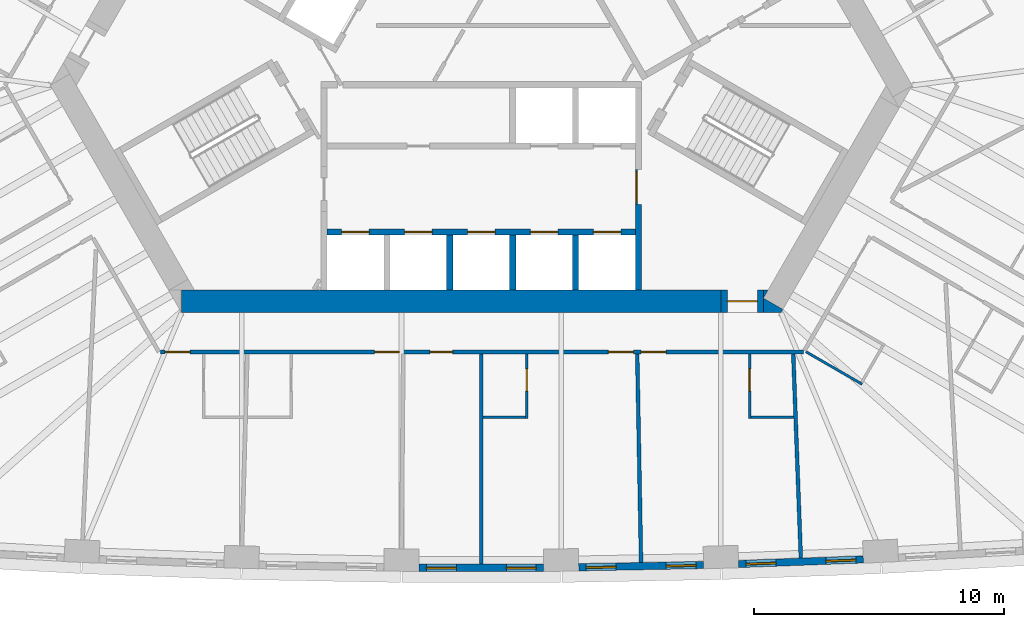
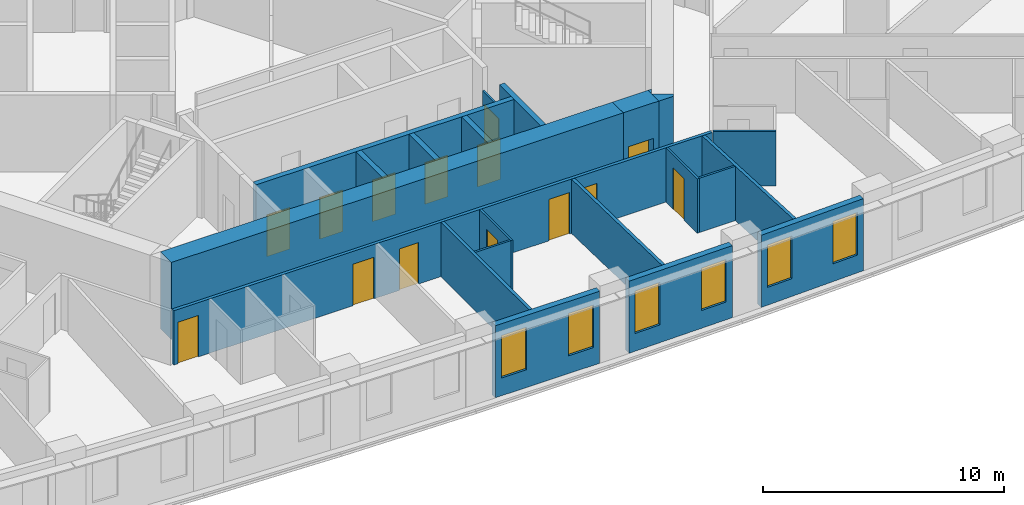
# One storey, part 6 of 13: 22 walls, 14 doors, 6 windows, 20 openings.
"""IFC4 building model written with IfcOpenShell, lengths in metres."""

import ifcopenshell
import ifcopenshell.guid

model = None  # the IFC model being written
_history = None  # IfcOwnerHistory: only IFC2X3 demands one
_inside = {}  # id of a spatial element -> (the spatial element, [elements in it])
_under = {}  # id of a project, library or spatial element -> (it, [spatial elements below it])
_declared = {}  # id of a project -> (the project, [libraries it declares])
_typed = {}  # id of a type object -> (the type object, [elements of that type])
_made_of = {}  # id of a material, layer set ... -> (it, [elements and type objects made of it])


def new_model(schema):
    """Start an empty IFC model of exactly this schema.

    Asked for "IFC4X3", IfcOpenShell would pick the latest addendum, in which some entities
    have other attributes; the version numbers below select the first issue.
    IFC2X3 requires an IfcOwnerHistory on every rooted entity: one is made here for all.
    """
    global model, _history
    if schema == "IFC4X3":
        model = ifcopenshell.file(schema_version=(4, 3, 0, 0))
    else:
        model = ifcopenshell.file(schema=schema)
    _inside.clear()
    _under.clear()
    _declared.clear()
    _typed.clear()
    _made_of.clear()
    _history = None
    if model.schema == "IFC2X3":
        org = make("IfcOrganization", Name="unknown")
        user = make(
            "IfcPersonAndOrganization",
            ThePerson=make("IfcPerson", FamilyName="unknown"),
            TheOrganization=org,
        )
        app = make(
            "IfcApplication",
            ApplicationDeveloper=org,
            Version="unknown",
            ApplicationFullName="unknown",
            ApplicationIdentifier="unknown",
        )
        _history = make(
            "IfcOwnerHistory",
            OwningUser=user,
            OwningApplication=app,
            ChangeAction="ADDED",
            CreationDate=0,
        )
    return model


def make(cls, **values):
    """One entity of the class cls with the attributes given. An attribute that is None is left unset."""
    return model.create_entity(
        cls, **{name: value for name, value in values.items() if value is not None}
    )


def rooted(cls, **values):
    """An entity with a GlobalId (a new one), such as an element, a storey or a relation."""
    return make(cls, GlobalId=ifcopenshell.guid.new(), OwnerHistory=_history, **values)


def si_unit(unit_type, name, prefix=None):
    """IfcSIUnit, for example si_unit("LENGTHUNIT", "METRE", prefix="MILLI")."""
    return make("IfcSIUnit", UnitType=unit_type, Prefix=prefix, Name=name)


def assignment(units):
    """IfcUnitAssignment: the units of a project."""
    return None if units is None else make("IfcUnitAssignment", Units=units)


def point(xyz):
    """IfcCartesianPoint."""
    return None if xyz is None else make("IfcCartesianPoint", Coordinates=xyz)


def direction(xyz):
    """IfcDirection."""
    return None if xyz is None else make("IfcDirection", DirectionRatios=xyz)


def frame(location, z_axis=None, x_axis=None):
    """IfcAxis2Placement3D, a coordinate frame: its origin and axes. An axis left out is left unset."""
    return make(
        "IfcAxis2Placement3D",
        Location=point(location),
        Axis=direction(z_axis),
        RefDirection=direction(x_axis),
    )


def frame_2d(location, x_axis=None):
    """IfcAxis2Placement2D, a coordinate frame in the plane: its origin and x axis."""
    return make(
        "IfcAxis2Placement2D", Location=point(location), RefDirection=direction(x_axis)
    )


def origin():
    """The frame at (0, 0, 0) with its axes left unset."""
    return frame((0.0, 0.0, 0.0))


def place(relative_to, where):
    """IfcLocalPlacement: puts the frame where relative to a parent placement (None: the world)."""
    return make(
        "IfcLocalPlacement", PlacementRelTo=relative_to, RelativePlacement=where
    )


def context(
    kind, dimensions, precision=None, world=None, true_north=None, identifier=None
):
    """IfcGeometricRepresentationContext, for example the 3D "Model" context."""
    return make(
        "IfcGeometricRepresentationContext",
        ContextIdentifier=identifier,
        ContextType=kind,
        CoordinateSpaceDimension=dimensions,
        Precision=precision,
        WorldCoordinateSystem=world,
        TrueNorth=true_north,
    )


def subcontext(parent, identifier, kind, view, scale=None):
    """IfcGeometricRepresentationSubContext, for example "Body" below "Model"."""
    return make(
        "IfcGeometricRepresentationSubContext",
        ContextIdentifier=identifier,
        ContextType=kind,
        ParentContext=parent,
        TargetScale=scale,
        TargetView=view,
    )


def project(units=None, contexts=None):
    """IfcProject with its units and contexts."""
    return rooted(
        "IfcProject",
        Name="project",
        RepresentationContexts=contexts,
        UnitsInContext=assignment(units),
    )


def spatial(cls, under=None, at=None, **own):
    """A site, building, storey or space (cls), placed at a placement, below another one or the project."""
    s = rooted(cls, ObjectPlacement=at, **own)
    if under is not None:
        _under.setdefault(under.id(), (under, []))[1].append(s)
    return s


def polyline(points):
    """IfcPolyline through the points."""
    return make("IfcPolyline", Points=[point(p) for p in points])


def profile(cls, at=None, kind="AREA", **sizes):
    """A parametric profile (cls). Its sizes go by their IFC names, for example OverallWidth=200.0."""
    return make(cls, ProfileType=kind, Position=at, **sizes)


def rectangle(**sizes):
    """IfcRectangleProfileDef."""
    return profile("IfcRectangleProfileDef", **sizes)


def outline(outer, holes=None, kind="AREA"):
    """IfcArbitraryClosedProfileDef: a profile drawn as a closed curve; with holes, ...WithVoids."""
    if holes is None:
        return make("IfcArbitraryClosedProfileDef", ProfileType=kind, OuterCurve=outer)
    return make(
        "IfcArbitraryProfileDefWithVoids",
        ProfileType=kind,
        OuterCurve=outer,
        InnerCurves=holes,
    )


def extrude(swept, where, along, depth):
    """IfcExtrudedAreaSolid: the profile swept, set in the frame where, extruded along a direction by depth."""
    return make(
        "IfcExtrudedAreaSolid",
        SweptArea=swept,
        Position=where,
        ExtrudedDirection=direction(along),
        Depth=depth,
    )


def shape(context_of_items, identifier, shape_type, items):
    """IfcShapeRepresentation: the items that make up one representation, for example the "Body"."""
    return make(
        "IfcShapeRepresentation",
        ContextOfItems=context_of_items,
        RepresentationIdentifier=identifier,
        RepresentationType=shape_type,
        Items=items,
    )


def material(Name=None, Category=None):
    """IfcMaterial."""
    return make("IfcMaterial", Name=Name, Category=Category)


def layer(
    of_material, thickness, ventilated=None, Name=None, Category=None, Priority=None
):
    """IfcMaterialLayer: one layer of a wall or slab, of a material (None: an air gap)."""
    return make(
        "IfcMaterialLayer",
        Material=of_material,
        LayerThickness=thickness,
        IsVentilated=ventilated,
        Name=Name,
        Category=Category,
        Priority=Priority,
    )


def layer_set(layers, Name=None):
    """IfcMaterialLayerSet."""
    return make("IfcMaterialLayerSet", MaterialLayers=layers, LayerSetName=Name)


def made_of(thing, what):
    """Note that an element or type object is made of a material, layer set ...; save() writes the relation."""
    if what is not None:
        _made_of.setdefault(what.id(), (what, []))[1].append(thing)
    return thing


def type_object(cls, material=None, **own):
    """A type object (cls), such as IfcWallType, which elements share."""
    return made_of(rooted(cls, **own), material)


def element(
    cls,
    number,
    at=None,
    inside=None,
    cuts=None,
    type_object=None,
    material=None,
    context=None,
    identifier="Body",
    shape_type=None,
    held_by="IfcProductDefinitionShape",
    body=None,
    shapes=None,
    **own,
):
    """One element of the class cls, such as IfcWall. Its Tag is "e" and its number.

    at: its placement. inside: the storey or other place that contains it. cuts: it is an
    opening in that element (IfcRelVoidsElement). A single representation is given by context,
    identifier, shape_type and body (its items); several are given by shapes. held_by: the class
    of the entity that holds the representations. save() writes the other relations.
    """
    e = rooted(cls, Tag="e%d" % number, ObjectPlacement=at, **own)
    if body is not None:
        shapes = [shape(context, identifier, shape_type, body)]
    if shapes is not None:
        e.Representation = make(held_by, Representations=shapes)
    if inside is not None:
        _inside.setdefault(inside.id(), (inside, []))[1].append(e)
    if cuts is not None:
        rooted(
            "IfcRelVoidsElement", RelatingBuildingElement=cuts, RelatedOpeningElement=e
        )
    if type_object is not None:
        _typed.setdefault(type_object.id(), (type_object, []))[1].append(e)
    return made_of(e, material)


def fill(opening, filler):
    """IfcRelFillsElement: the door or window that sits in an opening."""
    return rooted(
        "IfcRelFillsElement",
        RelatingOpeningElement=opening,
        RelatedBuildingElement=filler,
    )


def aggregate(whole, parts):
    """IfcRelAggregates: a whole, such as a stair, and the parts it consists of."""
    return rooted("IfcRelAggregates", RelatingObject=whole, RelatedObjects=parts)


def save(model, path):
    """Write the relations noted so far, then the file.

    IfcRelAggregates (storeys below a building ...), IfcRelContainedInSpatialStructure (elements
    in a storey), IfcRelDefinesByType, IfcRelAssociatesMaterial and IfcRelDeclares: one each for
    every whole, place, type object, material and project.
    """
    for whole, parts in _under.values():
        aggregate(whole, parts)
    for where, things in _inside.values():
        rooted(
            "IfcRelContainedInSpatialStructure",
            RelatedElements=things,
            RelatingStructure=where,
        )
    for kind, things in _typed.values():
        rooted("IfcRelDefinesByType", RelatedObjects=things, RelatingType=kind)
    for what, things in _made_of.values():
        rooted("IfcRelAssociatesMaterial", RelatedObjects=things, RelatingMaterial=what)
    for by, libraries in _declared.values():
        rooted("IfcRelDeclares", RelatingContext=by, RelatedDefinitions=libraries)
    model.write(path)


model = new_model("IFC4")

# Units and contexts
model_context = context("Model", 3, precision=1e-05, world=origin(), true_north=direction((0.0, 1.0)))
body_context = subcontext(model_context, "Body", "Model", "MODEL_VIEW")
ifc_project = project(units=[si_unit("LENGTHUNIT", "METRE"), si_unit("AREAUNIT", "SQUARE_METRE"), si_unit("VOLUMEUNIT", "CUBIC_METRE"), si_unit("PLANEANGLEUNIT", "RADIAN"), si_unit("MASSUNIT", "GRAM", prefix="KILO")], contexts=[model_context])

# Site, building, storey
site_placement = place(None, origin())
site = spatial("IfcSite", under=ifc_project, at=site_placement, CompositionType="ELEMENT")
building_placement = place(site_placement, origin())
building = spatial("IfcBuilding", under=site, at=building_placement, Name="Mestral Congress Tower", CompositionType="ELEMENT")
storey_placement = place(building_placement, frame((0.0, 0.0, 27.60009765625)))
storey = spatial("IfcBuildingStorey", under=building, at=storey_placement, Name="L05", CompositionType="ELEMENT", Elevation=27.60009765625)

# Wall, opening, door
ifc_material_1 = material(Name="Fire-rated board partition")
ifc_layer_1 = layer(ifc_material_1, 0.090087890625)
ifc_layer_set_1 = layer_set([ifc_layer_1], Name="Fire-rated board partition")
wall_type_1 = type_object("IfcWallType", Name="Core partition 150 door-wall 90", PredefinedType="PARTITIONING", material=ifc_layer_set_1)
wall_1_placement = place(storey_placement, frame((6.219970703125, -7.266357421875, 0.0), z_axis=(0.0, 0.0, 1.0), x_axis=(0.0, -1.0, 0.0)))
wall_1 = element("IfcWall", 1, at=wall_1_placement, inside=storey, type_object=wall_type_1, Name="L05 door wall", PredefinedType="PARTITIONING", context=body_context, shape_type="SweptSolid", body=[
    extrude(rectangle(XDim=1.400146484375, YDim=0.090087890625, at=frame_2d((0.7001953125, 0.0))), origin(), (0.0, 0.0, 1.0), 2.75),
])
opening_1_placement = place(wall_1_placement, frame((0.10009765625, 0.0, 0.0)))
opening_1 = element("IfcOpeningElement", 2, at=opening_1_placement, cuts=wall_1, Name="Opening LB0-WL1", PredefinedType="OPENING", context=body_context, shape_type="SweptSolid", body=[
    extrude(rectangle(XDim=1.199951171875, YDim=2.10009765625, at=frame_2d((0.60009765625, 1.050048828125))), frame((0.0, 0.054931640625, 0.0), z_axis=(0.0, -1.0, 0.0), x_axis=(1.0, 0.0, 0.0)), (0.0, 0.0, 1.0), 0.110107421875),
])
ifc_material_2 = material(Name="Fire-rated steel door set", Category="steel")
door_type_1 = type_object("IfcDoorType", Name="Core door LB 1200x2100", OperationType="SINGLE_SWING_LEFT", PredefinedType="DOOR", material=ifc_material_2)
door_1_placement = place(opening_1_placement, origin())
door_1 = element("IfcDoor", 3, at=door_1_placement, inside=storey, type_object=door_type_1, Name="Door LB0-WL1", OperationType="SINGLE_SWING_LEFT", OverallHeight=2.10009765625, OverallWidth=1.199951171875, PredefinedType="DOOR", context=body_context, shape_type="SweptSolid", body=[
    extrude(rectangle(XDim=1.199951171875, YDim=2.10009765625, at=frame_2d((0.60009765625, 1.050048828125))), frame((0.0, 0.02490234375, 0.0), z_axis=(0.0, -1.0, 0.0), x_axis=(1.0, 0.0, 0.0)), (0.0, 0.0, 1.0), 0.050048828125),
])
fill(opening_1, door_1)

# Walls
ifc_material_3 = material(Name="Concrete C60/75", Category="concrete")
ifc_layer_2 = layer(ifc_material_3, 0.89990234375)
ifc_layer_set_2 = layer_set([ifc_layer_2], Name="Concrete C60/75")
wall_type_2 = type_object("IfcWallType", Name="Core wall RC 900", PredefinedType="SOLIDWALL", material=ifc_layer_set_2)
placement = place(storey_placement, origin())
element("IfcWall", 4, at=placement, inside=storey, type_object=wall_type_2, Name="L05 core wall", PredefinedType="SOLIDWALL", context=body_context, shape_type="SweptSolid", body=[
    extrude(outline(polyline([(12.0087890625, -13.0), (11.31201171875, -13.0), (11.31201171875, -12.425048828125), (12.08349609375, -12.87060546875), (12.0087890625, -13.0)])), origin(), (0.0, 0.0, 1.0), 3.89990234375),
])
element("IfcWall", 5, at=placement, inside=storey, type_object=wall_type_2, Name="L05 core wall", PredefinedType="SOLIDWALL", context=body_context, shape_type="SweptSolid", body=[
    extrude(outline(polyline([(11.4892578125, -12.10009765625), (11.31201171875, -12.4072265625), (11.31201171875, -12.10009765625), (11.4892578125, -12.10009765625)])), origin(), (0.0, 0.0, 1.0), 3.89990234375),
])
wall_4_placement = place(storey_placement, frame((-12.0185546875, -12.550048828125, 0.0), z_axis=(0.0, 0.0, 1.0), x_axis=(1.0, 0.0, 0.0)))
element("IfcWall", 6, at=wall_4_placement, inside=storey, type_object=wall_type_2, Name="L05 core wall", PredefinedType="SOLIDWALL", context=body_context, shape_type="SweptSolid", body=[
    extrude(rectangle(XDim=21.63037109375, YDim=0.89990234375, at=frame_2d((10.815185546875, 0.0))), origin(), (0.0, 0.0, 1.0), 3.89990234375),
])

# Wall, opening, door
wall_5_placement = place(storey_placement, frame((11.311767578125, -12.550048828125, 0.0), z_axis=(0.0, 0.0, 1.0), x_axis=(-1.0, 0.0, 0.0)))
wall_5 = element("IfcWall", 7, at=wall_5_placement, inside=storey, type_object=wall_type_2, Name="L05 door wall", PredefinedType="SOLIDWALL", context=body_context, shape_type="SweptSolid", body=[
    extrude(rectangle(XDim=1.699951171875, YDim=0.89990234375, at=frame_2d((0.85009765625, 0.0))), origin(), (0.0, 0.0, 1.0), 3.89990234375),
])
opening_2_placement = place(wall_5_placement, frame((0.25, 0.0, 0.0)))
opening_2 = element("IfcOpeningElement", 8, at=opening_2_placement, cuts=wall_5, Name="Opening XD1", PredefinedType="OPENING", context=body_context, shape_type="SweptSolid", body=[
    extrude(rectangle(XDim=1.199951171875, YDim=2.10009765625, at=frame_2d((0.60009765625, 1.050048828125))), frame((0.0, 0.4599609375, 0.0), z_axis=(0.0, -1.0, 0.0), x_axis=(1.0, 0.0, 0.0)), (0.0, 0.0, 1.0), 0.919921875),
])
door_type_2 = type_object("IfcDoorType", Name="Core door XD 1200x2100", OperationType="SINGLE_SWING_LEFT", PredefinedType="DOOR", material=ifc_material_2)
door_2_placement = place(opening_2_placement, origin())
door_2 = element("IfcDoor", 9, at=door_2_placement, inside=storey, type_object=door_type_2, Name="Door XD1", OperationType="SINGLE_SWING_LEFT", OverallHeight=2.10009765625, OverallWidth=1.199951171875, PredefinedType="DOOR", context=body_context, shape_type="SweptSolid", body=[
    extrude(rectangle(XDim=1.199951171875, YDim=2.10009765625, at=frame_2d((0.60009765625, 1.050048828125))), frame((0.0, 0.02490234375, 0.0), z_axis=(0.0, -1.0, 0.0), x_axis=(1.0, 0.0, 0.0)), (0.0, 0.0, 1.0), 0.050048828125),
])
fill(opening_2, door_2)

# Wall, openings, windows
ifc_material_4 = material(Name="Precast concrete C40/50 with limestone facing", Category="masonry")
ifc_layer_3 = layer(ifc_material_4, 0.2900390625)
ifc_layer_set_3 = layer_set([ifc_layer_3], Name="Precast concrete C40/50 with limestone facing")
wall_type_3 = type_object("IfcWallType", Name="Facade stone wall 290", PredefinedType="SOLIDWALL", material=ifc_layer_set_3)
wall_6_placement = place(storey_placement, frame((-2.4990234375, -23.21826171875, 0.0), z_axis=(0.0, 0.0, 1.0), x_axis=(1.0, 0.0, 0.0)))
wall_6 = element("IfcWall", 10, at=wall_6_placement, inside=storey, type_object=wall_type_3, Name="Facade wall F0-04", PredefinedType="SOLIDWALL", context=body_context, shape_type="SweptSolid", body=[
    extrude(rectangle(XDim=4.998046875, YDim=0.2900390625, at=frame_2d((2.4990234375, 0.0))), origin(), (0.0, 0.0, 1.0), 3.64990234375),
])
opening_3_placement = place(wall_6_placement, frame((0.297119140625, 0.0, 0.89990234375)))
opening_3 = element("IfcOpeningElement", 11, at=opening_3_placement, cuts=wall_6, Name="Opening W1", PredefinedType="OPENING", context=body_context, shape_type="SweptSolid", body=[
    extrude(rectangle(XDim=1.199951171875, YDim=2.14990234375, at=frame_2d((0.60009765625, 1.074951171875))), frame((0.0, 0.155029296875, 0.0), z_axis=(0.0, -1.0, 0.0), x_axis=(1.0, 0.0, 0.0)), (0.0, 0.0, 1.0), 0.31005859375),
])
opening_4_placement = place(wall_6_placement, frame((3.501220703125, 0.0, 0.89990234375)))
opening_4 = element("IfcOpeningElement", 12, at=opening_4_placement, cuts=wall_6, Name="Opening W1", PredefinedType="OPENING", context=body_context, shape_type="SweptSolid", body=[
    extrude(rectangle(XDim=1.199951171875, YDim=2.14990234375, at=frame_2d((0.60009765625, 1.074951171875))), frame((0.0, 0.155029296875, 0.0), z_axis=(0.0, -1.0, 0.0), x_axis=(1.0, 0.0, 0.0)), (0.0, 0.0, 1.0), 0.31005859375),
])
ifc_material_5 = material(Name="Clear low-emissivity double glazing", Category="glass")
window_type = type_object("IfcWindowType", Name="Facade punched window 1200 x 2150 sill 900", PartitioningType="DOUBLE_PANEL_VERTICAL", PredefinedType="WINDOW", material=ifc_material_5)
window_1_placement = place(opening_3_placement, origin())
window_1 = element("IfcWindow", 13, at=window_1_placement, inside=storey, type_object=window_type, Name="Window F0-04a", OverallHeight=2.14990234375, OverallWidth=1.199951171875, PartitioningType="DOUBLE_PANEL_VERTICAL", PredefinedType="WINDOW", context=body_context, shape_type="SweptSolid", body=[
    extrude(rectangle(XDim=1.199951171875, YDim=2.14990234375, at=frame_2d((0.60009765625, 1.074951171875))), frame((0.0, 0.01513671875, 0.0), z_axis=(0.0, -1.0, 0.0), x_axis=(1.0, 0.0, 0.0)), (0.0, 0.0, 1.0), 0.06005859375),
])
fill(opening_3, window_1)
window_2_placement = place(opening_4_placement, origin())
window_2 = element("IfcWindow", 14, at=window_2_placement, inside=storey, type_object=window_type, Name="Window F0-04b", OverallHeight=2.14990234375, OverallWidth=1.199951171875, PartitioningType="DOUBLE_PANEL_VERTICAL", PredefinedType="WINDOW", context=body_context, shape_type="SweptSolid", body=[
    extrude(rectangle(XDim=1.199951171875, YDim=2.14990234375, at=frame_2d((0.60009765625, 1.074951171875))), frame((0.0, 0.01513671875, 0.0), z_axis=(0.0, -1.0, 0.0), x_axis=(1.0, 0.0, 0.0)), (0.0, 0.0, 1.0), 0.06005859375),
])
fill(opening_4, window_2)

wall_7_placement = place(storey_placement, frame((3.90625, -23.205078125, 0.0), z_axis=(0.0, 0.0, 1.0), x_axis=(0.999829529479, 0.018463801951, 0.0)))
wall_7 = element("IfcWall", 15, at=wall_7_placement, inside=storey, type_object=wall_type_3, Name="Facade wall F0-05", PredefinedType="SOLIDWALL", context=body_context, shape_type="SweptSolid", body=[
    extrude(rectangle(XDim=4.998046875, YDim=0.2900390625, at=frame_2d((2.4990234375, 0.0))), origin(), (0.0, 0.0, 1.0), 3.64990234375),
])
opening_5_placement = place(wall_7_placement, frame((0.297119140625, 0.0, 0.89990234375)))
opening_5 = element("IfcOpeningElement", 16, at=opening_5_placement, cuts=wall_7, Name="Opening W1", PredefinedType="OPENING", context=body_context, shape_type="SweptSolid", body=[
    extrude(rectangle(XDim=1.199951171875, YDim=2.14990234375, at=frame_2d((0.60009765625, 1.074951171875))), frame((0.0, 0.155029296875, 0.0), z_axis=(0.0, -1.0, 0.0), x_axis=(1.0, 0.0, 0.0)), (0.0, 0.0, 1.0), 0.31005859375),
])
opening_6_placement = place(wall_7_placement, frame((3.501220703125, 0.0, 0.89990234375)))
opening_6 = element("IfcOpeningElement", 17, at=opening_6_placement, cuts=wall_7, Name="Opening W1", PredefinedType="OPENING", context=body_context, shape_type="SweptSolid", body=[
    extrude(rectangle(XDim=1.199951171875, YDim=2.14990234375, at=frame_2d((0.60009765625, 1.074951171875))), frame((0.0, 0.155029296875, 0.0), z_axis=(0.0, -1.0, 0.0), x_axis=(1.0, 0.0, 0.0)), (0.0, 0.0, 1.0), 0.31005859375),
])
window_3_placement = place(opening_5_placement, origin())
window_3 = element("IfcWindow", 18, at=window_3_placement, inside=storey, type_object=window_type, Name="Window F0-05a", OverallHeight=2.14990234375, OverallWidth=1.199951171875, PartitioningType="DOUBLE_PANEL_VERTICAL", PredefinedType="WINDOW", context=body_context, shape_type="SweptSolid", body=[
    extrude(rectangle(XDim=1.199951171875, YDim=2.14990234375, at=frame_2d((0.60009765625, 1.074951171875))), frame((0.0, 0.01513671875, 0.0), z_axis=(0.0, -1.0, 0.0), x_axis=(1.0, 0.0, 0.0)), (0.0, 0.0, 1.0), 0.06005859375),
])
fill(opening_5, window_3)
window_4_placement = place(opening_6_placement, origin())
window_4 = element("IfcWindow", 19, at=window_4_placement, inside=storey, type_object=window_type, Name="Window F0-05b", OverallHeight=2.14990234375, OverallWidth=1.199951171875, PartitioningType="DOUBLE_PANEL_VERTICAL", PredefinedType="WINDOW", context=body_context, shape_type="SweptSolid", body=[
    extrude(rectangle(XDim=1.199951171875, YDim=2.14990234375, at=frame_2d((0.60009765625, 1.074951171875))), frame((0.0, 0.01513671875, 0.0), z_axis=(0.0, -1.0, 0.0), x_axis=(1.0, 0.0, 0.0)), (0.0, 0.0, 1.0), 0.06005859375),
])
fill(opening_6, window_4)

wall_8_placement = place(storey_placement, frame((10.310302734375, -23.07373046875, 0.0), z_axis=(0.0, 0.0, 1.0), x_axis=(0.999317974969, 0.036926750529, 0.0)))
wall_8 = element("IfcWall", 20, at=wall_8_placement, inside=storey, type_object=wall_type_3, Name="Facade wall F0-06", PredefinedType="SOLIDWALL", context=body_context, shape_type="SweptSolid", body=[
    extrude(rectangle(XDim=4.998291015625, YDim=0.2900390625, at=frame_2d((2.4990234375, 0.0))), origin(), (0.0, 0.0, 1.0), 3.64990234375),
])
opening_7_placement = place(wall_8_placement, frame((0.297119140625, 0.0, 0.89990234375)))
opening_7 = element("IfcOpeningElement", 21, at=opening_7_placement, cuts=wall_8, Name="Opening W1", PredefinedType="OPENING", context=body_context, shape_type="SweptSolid", body=[
    extrude(rectangle(XDim=1.199951171875, YDim=2.14990234375, at=frame_2d((0.60009765625, 1.074951171875))), frame((0.0, 0.155029296875, 0.0), z_axis=(0.0, -1.0, 0.0), x_axis=(1.0, 0.0, 0.0)), (0.0, 0.0, 1.0), 0.31005859375),
])
opening_8_placement = place(wall_8_placement, frame((3.501220703125, 0.0, 0.89990234375)))
opening_8 = element("IfcOpeningElement", 22, at=opening_8_placement, cuts=wall_8, Name="Opening W1", PredefinedType="OPENING", context=body_context, shape_type="SweptSolid", body=[
    extrude(rectangle(XDim=1.199951171875, YDim=2.14990234375, at=frame_2d((0.60009765625, 1.074951171875))), frame((0.0, 0.155029296875, 0.0), z_axis=(0.0, -1.0, 0.0), x_axis=(1.0, 0.0, 0.0)), (0.0, 0.0, 1.0), 0.31005859375),
])
window_5_placement = place(opening_7_placement, origin())
window_5 = element("IfcWindow", 23, at=window_5_placement, inside=storey, type_object=window_type, Name="Window F0-06a", OverallHeight=2.14990234375, OverallWidth=1.199951171875, PartitioningType="DOUBLE_PANEL_VERTICAL", PredefinedType="WINDOW", context=body_context, shape_type="SweptSolid", body=[
    extrude(rectangle(XDim=1.199951171875, YDim=2.14990234375, at=frame_2d((0.60009765625, 1.074951171875))), frame((0.0, 0.01513671875, 0.0), z_axis=(0.0, -1.0, 0.0), x_axis=(1.0, 0.0, 0.0)), (0.0, 0.0, 1.0), 0.06005859375),
])
fill(opening_7, window_5)
window_6_placement = place(opening_8_placement, origin())
window_6 = element("IfcWindow", 24, at=window_6_placement, inside=storey, type_object=window_type, Name="Window F0-06b", OverallHeight=2.14990234375, OverallWidth=1.199951171875, PartitioningType="DOUBLE_PANEL_VERTICAL", PredefinedType="WINDOW", context=body_context, shape_type="SweptSolid", body=[
    extrude(rectangle(XDim=1.199951171875, YDim=2.14990234375, at=frame_2d((0.60009765625, 1.074951171875))), frame((0.0, 0.01513671875, 0.0), z_axis=(0.0, -1.0, 0.0), x_axis=(1.0, 0.0, 0.0)), (0.0, 0.0, 1.0), 0.06005859375),
])
fill(opening_8, window_6)

# Wall, opening, door
ifc_material_6 = material(Name="Gypsum board partition on metal studs with mineral wool", Category="composite")
ifc_layer_4 = layer(ifc_material_6, 0.10009765625)
ifc_layer_set_4 = layer_set([ifc_layer_4], Name="Gypsum board partition on metal studs with mineral wool")
wall_type_4 = type_object("IfcWallType", Name="Hotel partition wall 100", PredefinedType="PARTITIONING", material=ifc_layer_set_4)
wall_9_placement = place(storey_placement, frame((1.824951171875, -17.25, 0.0), z_axis=(0.0, 0.0, 1.0), x_axis=(0.0, 1.0, 0.0)))
wall_9 = element("IfcWall", 25, at=wall_9_placement, inside=storey, type_object=wall_type_4, Name="L05-h-pod06a", PredefinedType="PARTITIONING", context=body_context, shape_type="SweptSolid", body=[
    extrude(rectangle(XDim=2.60009765625, YDim=0.10009765625, at=frame_2d((1.300048828125, 0.0))), origin(), (0.0, 0.0, 1.0), 2.75),
])
opening_9_placement = place(wall_9_placement, frame((1.10009765625, 0.0, 0.0)))
opening_9 = element("IfcOpeningElement", 26, at=opening_9_placement, cuts=wall_9, Name="Opening H01-011", PredefinedType="OPENING", context=body_context, shape_type="SweptSolid", body=[
    extrude(rectangle(XDim=0.89990234375, YDim=2.10009765625, at=frame_2d((0.449951171875, 1.050048828125))), frame((0.0, 0.06005859375, 0.0), z_axis=(0.0, -1.0, 0.0), x_axis=(1.0, 0.0, 0.0)), (0.0, 0.0, 1.0), 0.1201171875),
])
ifc_material_7 = material(Name="Timber veneer door leaf in timber frame", Category="wood")
door_type_3 = type_object("IfcDoorType", Name="Bathroom door 900", OperationType="SINGLE_SWING_LEFT", PredefinedType="DOOR", material=ifc_material_7)
door_3_placement = place(opening_9_placement, origin())
door_3 = element("IfcDoor", 27, at=door_3_placement, inside=storey, type_object=door_type_3, Name="L05-h-d011", OperationType="SINGLE_SWING_RIGHT", OverallHeight=2.10009765625, OverallWidth=0.89990234375, PredefinedType="DOOR", context=body_context, shape_type="SweptSolid", body=[
    extrude(rectangle(XDim=0.89990234375, YDim=2.10009765625, at=frame_2d((0.449951171875, 1.050048828125))), frame((0.0, 0.02490234375, 0.0), z_axis=(0.0, -1.0, 0.0), x_axis=(1.0, 0.0, 0.0)), (0.0, 0.0, 1.0), 0.050048828125),
])
fill(opening_9, door_3)

# Wall
wall_10_placement = place(storey_placement, frame((1.77490234375, -17.199951171875, 0.0), z_axis=(0.0, 0.0, 1.0), x_axis=(-1.0, 0.0, 0.0)))
element("IfcWall", 28, at=wall_10_placement, inside=storey, type_object=wall_type_4, Name="L05-h-pod06b", PredefinedType="PARTITIONING", context=body_context, shape_type="SweptSolid", body=[
    extrude(rectangle(XDim=1.699951171875, YDim=0.10009765625, at=frame_2d((0.85009765625, 0.0))), origin(), (0.0, 0.0, 1.0), 2.75),
])

# Wall, opening, door
wall_11_placement = place(storey_placement, frame((10.746337890625, -14.64990234375, 0.0), z_axis=(0.0, 0.0, 1.0), x_axis=(0.0, -1.0, 0.0)))
wall_11 = element("IfcWall", 29, at=wall_11_placement, inside=storey, type_object=wall_type_4, Name="L05-h-pod07a", PredefinedType="PARTITIONING", context=body_context, shape_type="SweptSolid", body=[
    extrude(rectangle(XDim=2.60009765625, YDim=0.10009765625, at=frame_2d((1.300048828125, 0.0))), origin(), (0.0, 0.0, 1.0), 2.75),
])
opening_10_placement = place(wall_11_placement, frame((0.60009765625, 0.0, 0.0)))
opening_10 = element("IfcOpeningElement", 30, at=opening_10_placement, cuts=wall_11, Name="Opening H01-013", PredefinedType="OPENING", context=body_context, shape_type="SweptSolid", body=[
    extrude(rectangle(XDim=0.89990234375, YDim=2.10009765625, at=frame_2d((0.449951171875, 1.050048828125))), frame((0.0, 0.06005859375, 0.0), z_axis=(0.0, -1.0, 0.0), x_axis=(1.0, 0.0, 0.0)), (0.0, 0.0, 1.0), 0.1201171875),
])
door_4_placement = place(opening_10_placement, origin())
door_4 = element("IfcDoor", 31, at=door_4_placement, inside=storey, type_object=door_type_3, Name="L05-h-d013", OperationType="SINGLE_SWING_LEFT", OverallHeight=2.10009765625, OverallWidth=0.89990234375, PredefinedType="DOOR", context=body_context, shape_type="SweptSolid", body=[
    extrude(rectangle(XDim=0.89990234375, YDim=2.10009765625, at=frame_2d((0.449951171875, 1.050048828125))), frame((0.0, 0.02490234375, 0.0), z_axis=(0.0, -1.0, 0.0), x_axis=(1.0, 0.0, 0.0)), (0.0, 0.0, 1.0), 0.050048828125),
])
fill(opening_10, door_4)

# Walls
wall_12_placement = place(storey_placement, frame((10.806396484375, -17.199951171875, 0.0), z_axis=(0.0, 0.0, 1.0), x_axis=(1.0, 0.0, 0.0)))
element("IfcWall", 32, at=wall_12_placement, inside=storey, type_object=wall_type_4, Name="L05-h-pod07b", PredefinedType="PARTITIONING", context=body_context, shape_type="SweptSolid", body=[
    extrude(rectangle(XDim=1.7099609375, YDim=0.10009765625, at=frame_2d((0.85498046875, 0.0))), origin(), (0.0, 0.0, 1.0), 2.75),
])
wall_13_placement = place(storey_placement, frame((13.00830078125, -14.569091796875, 0.0), z_axis=(0.0, 0.0, 1.0), x_axis=(0.865997922154, -0.500047596559, 0.0)))
element("IfcWall", 33, at=wall_13_placement, inside=storey, type_object=wall_type_4, Name="L05-h-pod08c", PredefinedType="PARTITIONING", context=body_context, shape_type="SweptSolid", body=[
    extrude(rectangle(XDim=2.599853515625, YDim=0.10009765625, at=frame_2d((1.2998046875, 0.0))), origin(), (0.0, 0.0, 1.0), 2.75),
])

# Wall, openings, doors
ifc_layer_5 = layer(ifc_material_6, 0.14990234375)
ifc_layer_set_5 = layer_set([ifc_layer_5], Name="Gypsum board partition on metal studs with mineral wool")
wall_type_5 = type_object("IfcWallType", Name="Hotel partition wall 150", PredefinedType="PARTITIONING", material=ifc_layer_set_5)
wall_14_placement = place(storey_placement, frame((12.918212890625, -14.574951171875, 0.0), z_axis=(0.0, 0.0, 1.0), x_axis=(-1.0, 0.0, 0.0)))
wall_14 = element("IfcWall", 34, at=wall_14_placement, inside=storey, type_object=wall_type_5, Name="L05-h-cw13", PredefinedType="PARTITIONING", context=body_context, shape_type="SweptSolid", body=[
    extrude(rectangle(XDim=25.766357421875, YDim=0.14990234375, at=frame_2d((12.88330078125, 0.0))), origin(), (0.0, 0.0, 1.0), 2.75),
])
opening_11_placement = place(wall_14_placement, frame((24.58642578125, 0.0, 0.0)))
opening_11 = element("IfcOpeningElement", 35, at=opening_11_placement, cuts=wall_14, Name="Opening H01-005", PredefinedType="OPENING", context=body_context, shape_type="SweptSolid", body=[
    extrude(rectangle(XDim=1.0, YDim=2.10009765625, at=frame_2d((0.5, 1.050048828125))), frame((0.0, 0.0849609375, 0.0), z_axis=(0.0, -1.0, 0.0), x_axis=(1.0, 0.0, 0.0)), (0.0, 0.0, 1.0), 0.169921875),
])
opening_12_placement = place(wall_14_placement, frame((16.195068359375, 0.0, 0.0)))
opening_12 = element("IfcOpeningElement", 36, at=opening_12_placement, cuts=wall_14, Name="Opening H01-007", PredefinedType="OPENING", context=body_context, shape_type="SweptSolid", body=[
    extrude(rectangle(XDim=1.0, YDim=2.10009765625, at=frame_2d((0.5, 1.050048828125))), frame((0.0, 0.0849609375, 0.0), z_axis=(0.0, -1.0, 0.0), x_axis=(1.0, 0.0, 0.0)), (0.0, 0.0, 1.0), 0.169921875),
])
opening_13_placement = place(wall_14_placement, frame((14.06591796875, 0.0, 0.0)))
opening_13 = element("IfcOpeningElement", 37, at=opening_13_placement, cuts=wall_14, Name="Opening H01-009", PredefinedType="OPENING", context=body_context, shape_type="SweptSolid", body=[
    extrude(rectangle(XDim=0.89990234375, YDim=2.10009765625, at=frame_2d((0.449951171875, 1.050048828125))), frame((0.0, 0.0849609375, 0.0), z_axis=(0.0, -1.0, 0.0), x_axis=(1.0, 0.0, 0.0)), (0.0, 0.0, 1.0), 0.169921875),
])
opening_14_placement = place(wall_14_placement, frame((6.823974609375, 0.0, 0.0)))
opening_14 = element("IfcOpeningElement", 38, at=opening_14_placement, cuts=wall_14, Name="Opening H01-010", PredefinedType="OPENING", context=body_context, shape_type="SweptSolid", body=[
    extrude(rectangle(XDim=1.0, YDim=2.10009765625, at=frame_2d((0.5, 1.050048828125))), frame((0.0, 0.0849609375, 0.0), z_axis=(0.0, -1.0, 0.0), x_axis=(1.0, 0.0, 0.0)), (0.0, 0.0, 1.0), 0.169921875),
])
opening_15_placement = place(wall_14_placement, frame((5.5166015625, 0.0, 0.0)))
opening_15 = element("IfcOpeningElement", 39, at=opening_15_placement, cuts=wall_14, Name="Opening H01-012", PredefinedType="OPENING", context=body_context, shape_type="SweptSolid", body=[
    extrude(rectangle(XDim=1.0, YDim=2.10009765625, at=frame_2d((0.5, 1.050048828125))), frame((0.0, 0.0849609375, 0.0), z_axis=(0.0, -1.0, 0.0), x_axis=(1.0, 0.0, 0.0)), (0.0, 0.0, 1.0), 0.169921875),
])
ifc_material_8 = material(Name="Timber veneer door leaf in metal frame", Category="wood")
door_type_4 = type_object("IfcDoorType", Name="Guest room entrance door 1000", OperationType="SINGLE_SWING_LEFT", PredefinedType="DOOR", material=ifc_material_8)
door_5_placement = place(opening_11_placement, origin())
door_5 = element("IfcDoor", 40, at=door_5_placement, inside=storey, type_object=door_type_4, Name="L05-h-d005", OperationType="SINGLE_SWING_RIGHT", OverallHeight=2.10009765625, OverallWidth=1.0, PredefinedType="DOOR", context=body_context, shape_type="SweptSolid", body=[
    extrude(rectangle(XDim=1.0, YDim=2.10009765625, at=frame_2d((0.5, 1.050048828125))), frame((0.0, 0.02490234375, 0.0), z_axis=(0.0, -1.0, 0.0), x_axis=(1.0, 0.0, 0.0)), (0.0, 0.0, 1.0), 0.050048828125),
])
fill(opening_11, door_5)
door_6_placement = place(opening_12_placement, origin())
door_6 = element("IfcDoor", 41, at=door_6_placement, inside=storey, type_object=door_type_4, Name="L05-h-d007", OperationType="SINGLE_SWING_LEFT", OverallHeight=2.10009765625, OverallWidth=1.0, PredefinedType="DOOR", context=body_context, shape_type="SweptSolid", body=[
    extrude(rectangle(XDim=1.0, YDim=2.10009765625, at=frame_2d((0.5, 1.050048828125))), frame((0.0, 0.02490234375, 0.0), z_axis=(0.0, -1.0, 0.0), x_axis=(1.0, 0.0, 0.0)), (0.0, 0.0, 1.0), 0.050048828125),
])
fill(opening_12, door_6)
door_7_placement = place(opening_14_placement, origin())
door_7 = element("IfcDoor", 42, at=door_7_placement, inside=storey, type_object=door_type_4, Name="L05-h-d010", OperationType="SINGLE_SWING_LEFT", OverallHeight=2.10009765625, OverallWidth=1.0, PredefinedType="DOOR", context=body_context, shape_type="SweptSolid", body=[
    extrude(rectangle(XDim=1.0, YDim=2.10009765625, at=frame_2d((0.5, 1.050048828125))), frame((0.0, 0.02490234375, 0.0), z_axis=(0.0, -1.0, 0.0), x_axis=(1.0, 0.0, 0.0)), (0.0, 0.0, 1.0), 0.050048828125),
])
fill(opening_14, door_7)
door_8_placement = place(opening_15_placement, origin())
door_8 = element("IfcDoor", 43, at=door_8_placement, inside=storey, type_object=door_type_4, Name="L05-h-d012", OperationType="SINGLE_SWING_RIGHT", OverallHeight=2.10009765625, OverallWidth=1.0, PredefinedType="DOOR", context=body_context, shape_type="SweptSolid", body=[
    extrude(rectangle(XDim=1.0, YDim=2.10009765625, at=frame_2d((0.5, 1.050048828125))), frame((0.0, 0.02490234375, 0.0), z_axis=(0.0, -1.0, 0.0), x_axis=(1.0, 0.0, 0.0)), (0.0, 0.0, 1.0), 0.050048828125),
])
fill(opening_15, door_8)
door_type_5 = type_object("IfcDoorType", Name="Service room door 900", OperationType="SINGLE_SWING_LEFT", PredefinedType="DOOR", material=ifc_material_8)
door_9_placement = place(opening_13_placement, origin())
door_9 = element("IfcDoor", 44, at=door_9_placement, inside=storey, type_object=door_type_5, Name="L05-h-d009", OperationType="SINGLE_SWING_LEFT", OverallHeight=2.10009765625, OverallWidth=0.89990234375, PredefinedType="DOOR", context=body_context, shape_type="SweptSolid", body=[
    extrude(rectangle(XDim=0.89990234375, YDim=2.10009765625, at=frame_2d((0.449951171875, 1.050048828125))), frame((0.0, 0.02490234375, 0.0), z_axis=(0.0, -1.0, 0.0), x_axis=(1.0, 0.0, 0.0)), (0.0, 0.0, 1.0), 0.050048828125),
])
fill(opening_13, door_9)

# Walls
wall_15_placement = place(storey_placement, frame((0.0, -23.0732421875, 0.0), z_axis=(0.0, 0.0, 1.0), x_axis=(0.0, 1.0, 0.0)))
element("IfcWall", 45, at=wall_15_placement, inside=storey, type_object=wall_type_5, Name="L05-h-pw16", PredefinedType="PARTITIONING", context=body_context, shape_type="SweptSolid", body=[
    extrude(rectangle(XDim=8.42333984375, YDim=0.14990234375, at=frame_2d((4.211669921875, 0.0))), origin(), (0.0, 0.0, 1.0), 2.75),
])
wall_16_placement = place(storey_placement, frame((6.40234375, -23.013916015625, 0.0), z_axis=(0.0, 0.0, 1.0), x_axis=(-0.01849587109, 0.999828936745, 0.0)))
element("IfcWall", 46, at=wall_16_placement, inside=storey, type_object=wall_type_5, Name="L05-h-pw19", PredefinedType="PARTITIONING", context=body_context, shape_type="SweptSolid", body=[
    extrude(rectangle(XDim=8.35546875, YDim=0.14990234375, at=frame_2d((4.177734375, 0.0))), origin(), (0.0, 0.0, 1.0), 2.75),
])
wall_17_placement = place(storey_placement, frame((12.802490234375, -22.83642578125, 0.0), z_axis=(0.0, 0.0, 1.0), x_axis=(-0.036969723281, 0.999316386116, 0.0)))
element("IfcWall", 47, at=wall_17_placement, inside=storey, type_object=wall_type_5, Name="L05-h-pw22", PredefinedType="PARTITIONING", context=body_context, shape_type="SweptSolid", body=[
    extrude(rectangle(XDim=8.18212890625, YDim=0.14990234375, at=frame_2d((4.091064453125, 0.0))), origin(), (0.0, 0.0, 1.0), 2.75),
])
ifc_layer_6 = layer(ifc_material_3, 0.25)
ifc_layer_set_6 = layer_set([ifc_layer_6], Name="Concrete C60/75")
wall_type_6 = type_object("IfcWallType", Name="Shaft wall RC 250", PredefinedType="SOLIDWALL", material=ifc_layer_set_6)
wall_18_placement = place(storey_placement, frame((6.300048828125, -8.669921875, 0.0), z_axis=(0.0, 0.0, 1.0), x_axis=(0.0, -1.0, 0.0)))
element("IfcWall", 48, at=wall_18_placement, inside=storey, type_object=wall_type_6, Name="L05 core wall", PredefinedType="SOLIDWALL", context=body_context, shape_type="SweptSolid", body=[
    extrude(rectangle(XDim=3.43017578125, YDim=0.25, at=frame_2d((1.715087890625, 0.0))), origin(), (0.0, 0.0, 1.0), 3.89990234375),
])
for number, where, z_axis, x_axis, name in (
    (49, (3.780029296875, -12.10009765625, 0.0), (0.0, 0.0, 1.0), (0.0, 1.0, 0.0), "L05 core wall"),
    (50, (1.260009765625, -12.10009765625, 0.0), (0.0, 0.0, 1.0), (0.0, 1.0, 0.0), "L05 core wall"),
    (51, (-1.260009765625, -12.10009765625, 0.0), (0.0, 0.0, 1.0), (0.0, 1.0, 0.0), "L05 core wall"),
):
    element("IfcWall", number, at=place(storey_placement, frame(where, z_axis=z_axis, x_axis=x_axis)), inside=storey, type_object=wall_type_6, Name=name, PredefinedType="SOLIDWALL", context=body_context, shape_type="SweptSolid", body=[
        extrude(rectangle(XDim=2.199951171875, YDim=0.25, at=frame_2d((1.10009765625, 0.0))), origin(), (0.0, 0.0, 1.0), 3.89990234375),
    ])

# Wall, openings, doors
wall_19_placement = place(storey_placement, frame((-6.175048828125, -9.77490234375, 0.0), z_axis=(0.0, 0.0, 1.0), x_axis=(1.0, 0.0, 0.0)))
wall_19 = element("IfcWall", 52, at=wall_19_placement, inside=storey, type_object=wall_type_6, Name="L05 door wall", PredefinedType="SOLIDWALL", context=body_context, shape_type="SweptSolid", body=[
    extrude(rectangle(XDim=12.35009765625, YDim=0.25, at=frame_2d((6.175048828125, 0.0))), origin(), (0.0, 0.0, 1.0), 3.89990234375),
])
opening_16_placement = place(wall_19_placement, frame((0.5849609375, 0.0, 0.0)))
opening_16 = element("IfcOpeningElement", 53, at=opening_16_placement, cuts=wall_19, Name="Opening LD-SOA1", PredefinedType="OPENING", context=body_context, shape_type="SweptSolid", body=[
    extrude(rectangle(XDim=1.10009765625, YDim=2.10009765625, at=frame_2d((0.550048828125, 1.050048828125))), frame((0.0, 0.135009765625, 0.0), z_axis=(0.0, -1.0, 0.0), x_axis=(1.0, 0.0, 0.0)), (0.0, 0.0, 1.0), 0.27001953125),
])
opening_17_placement = place(wall_19_placement, frame((3.10498046875, 0.0, 0.0)))
opening_17 = element("IfcOpeningElement", 54, at=opening_17_placement, cuts=wall_19, Name="Opening LD-SOA2", PredefinedType="OPENING", context=body_context, shape_type="SweptSolid", body=[
    extrude(rectangle(XDim=1.10009765625, YDim=2.10009765625, at=frame_2d((0.550048828125, 1.050048828125))), frame((0.0, 0.135009765625, 0.0), z_axis=(0.0, -1.0, 0.0), x_axis=(1.0, 0.0, 0.0)), (0.0, 0.0, 1.0), 0.27001953125),
])
opening_18_placement = place(wall_19_placement, frame((5.625, 0.0, 0.0)))
opening_18 = element("IfcOpeningElement", 55, at=opening_18_placement, cuts=wall_19, Name="Opening LD-SOA3", PredefinedType="OPENING", context=body_context, shape_type="SweptSolid", body=[
    extrude(rectangle(XDim=1.10009765625, YDim=2.10009765625, at=frame_2d((0.550048828125, 1.050048828125))), frame((0.0, 0.135009765625, 0.0), z_axis=(0.0, -1.0, 0.0), x_axis=(1.0, 0.0, 0.0)), (0.0, 0.0, 1.0), 0.27001953125),
])
opening_19_placement = place(wall_19_placement, frame((8.14501953125, 0.0, 0.0)))
opening_19 = element("IfcOpeningElement", 56, at=opening_19_placement, cuts=wall_19, Name="Opening LD-SOA4", PredefinedType="OPENING", context=body_context, shape_type="SweptSolid", body=[
    extrude(rectangle(XDim=1.10009765625, YDim=2.10009765625, at=frame_2d((0.550048828125, 1.050048828125))), frame((0.0, 0.135009765625, 0.0), z_axis=(0.0, -1.0, 0.0), x_axis=(1.0, 0.0, 0.0)), (0.0, 0.0, 1.0), 0.27001953125),
])
opening_20_placement = place(wall_19_placement, frame((10.6650390625, 0.0, 0.0)))
opening_20 = element("IfcOpeningElement", 57, at=opening_20_placement, cuts=wall_19, Name="Opening LD-SOA5", PredefinedType="OPENING", context=body_context, shape_type="SweptSolid", body=[
    extrude(rectangle(XDim=1.10009765625, YDim=2.10009765625, at=frame_2d((0.550048828125, 1.050048828125))), frame((0.0, 0.135009765625, 0.0), z_axis=(0.0, -1.0, 0.0), x_axis=(1.0, 0.0, 0.0)), (0.0, 0.0, 1.0), 0.27001953125),
])
door_type_6 = type_object("IfcDoorType", Name="Core door LD 1100x2100", OperationType="DOUBLE_DOOR_SLIDING", PredefinedType="DOOR", material=ifc_material_2)
door_10_placement = place(opening_16_placement, origin())
door_10 = element("IfcDoor", 58, at=door_10_placement, inside=storey, type_object=door_type_6, Name="Door LD-SOA1", OperationType="DOUBLE_DOOR_SLIDING", OverallHeight=2.10009765625, OverallWidth=1.10009765625, PredefinedType="DOOR", context=body_context, shape_type="SweptSolid", body=[
    extrude(rectangle(XDim=1.10009765625, YDim=2.10009765625, at=frame_2d((0.550048828125, 1.050048828125))), frame((0.0, 0.02490234375, 0.0), z_axis=(0.0, -1.0, 0.0), x_axis=(1.0, 0.0, 0.0)), (0.0, 0.0, 1.0), 0.050048828125),
])
fill(opening_16, door_10)
door_11_placement = place(opening_17_placement, origin())
door_11 = element("IfcDoor", 59, at=door_11_placement, inside=storey, type_object=door_type_6, Name="Door LD-SOA2", OperationType="DOUBLE_DOOR_SLIDING", OverallHeight=2.10009765625, OverallWidth=1.10009765625, PredefinedType="DOOR", context=body_context, shape_type="SweptSolid", body=[
    extrude(rectangle(XDim=1.10009765625, YDim=2.10009765625, at=frame_2d((0.550048828125, 1.050048828125))), frame((0.0, 0.02490234375, 0.0), z_axis=(0.0, -1.0, 0.0), x_axis=(1.0, 0.0, 0.0)), (0.0, 0.0, 1.0), 0.050048828125),
])
fill(opening_17, door_11)
door_12_placement = place(opening_18_placement, origin())
door_12 = element("IfcDoor", 60, at=door_12_placement, inside=storey, type_object=door_type_6, Name="Door LD-SOA3", OperationType="DOUBLE_DOOR_SLIDING", OverallHeight=2.10009765625, OverallWidth=1.10009765625, PredefinedType="DOOR", context=body_context, shape_type="SweptSolid", body=[
    extrude(rectangle(XDim=1.10009765625, YDim=2.10009765625, at=frame_2d((0.550048828125, 1.050048828125))), frame((0.0, 0.02490234375, 0.0), z_axis=(0.0, -1.0, 0.0), x_axis=(1.0, 0.0, 0.0)), (0.0, 0.0, 1.0), 0.050048828125),
])
fill(opening_18, door_12)
door_13_placement = place(opening_19_placement, origin())
door_13 = element("IfcDoor", 61, at=door_13_placement, inside=storey, type_object=door_type_6, Name="Door LD-SOA4", OperationType="DOUBLE_DOOR_SLIDING", OverallHeight=2.10009765625, OverallWidth=1.10009765625, PredefinedType="DOOR", context=body_context, shape_type="SweptSolid", body=[
    extrude(rectangle(XDim=1.10009765625, YDim=2.10009765625, at=frame_2d((0.550048828125, 1.050048828125))), frame((0.0, 0.02490234375, 0.0), z_axis=(0.0, -1.0, 0.0), x_axis=(1.0, 0.0, 0.0)), (0.0, 0.0, 1.0), 0.050048828125),
])
fill(opening_19, door_13)
door_14_placement = place(opening_20_placement, origin())
door_14 = element("IfcDoor", 62, at=door_14_placement, inside=storey, type_object=door_type_6, Name="Door LD-SOA5", OperationType="DOUBLE_DOOR_SLIDING", OverallHeight=2.10009765625, OverallWidth=1.10009765625, PredefinedType="DOOR", context=body_context, shape_type="SweptSolid", body=[
    extrude(rectangle(XDim=1.10009765625, YDim=2.10009765625, at=frame_2d((0.550048828125, 1.050048828125))), frame((0.0, 0.02490234375, 0.0), z_axis=(0.0, -1.0, 0.0), x_axis=(1.0, 0.0, 0.0)), (0.0, 0.0, 1.0), 0.050048828125),
])
fill(opening_20, door_14)

save(model, "model.ifc")
